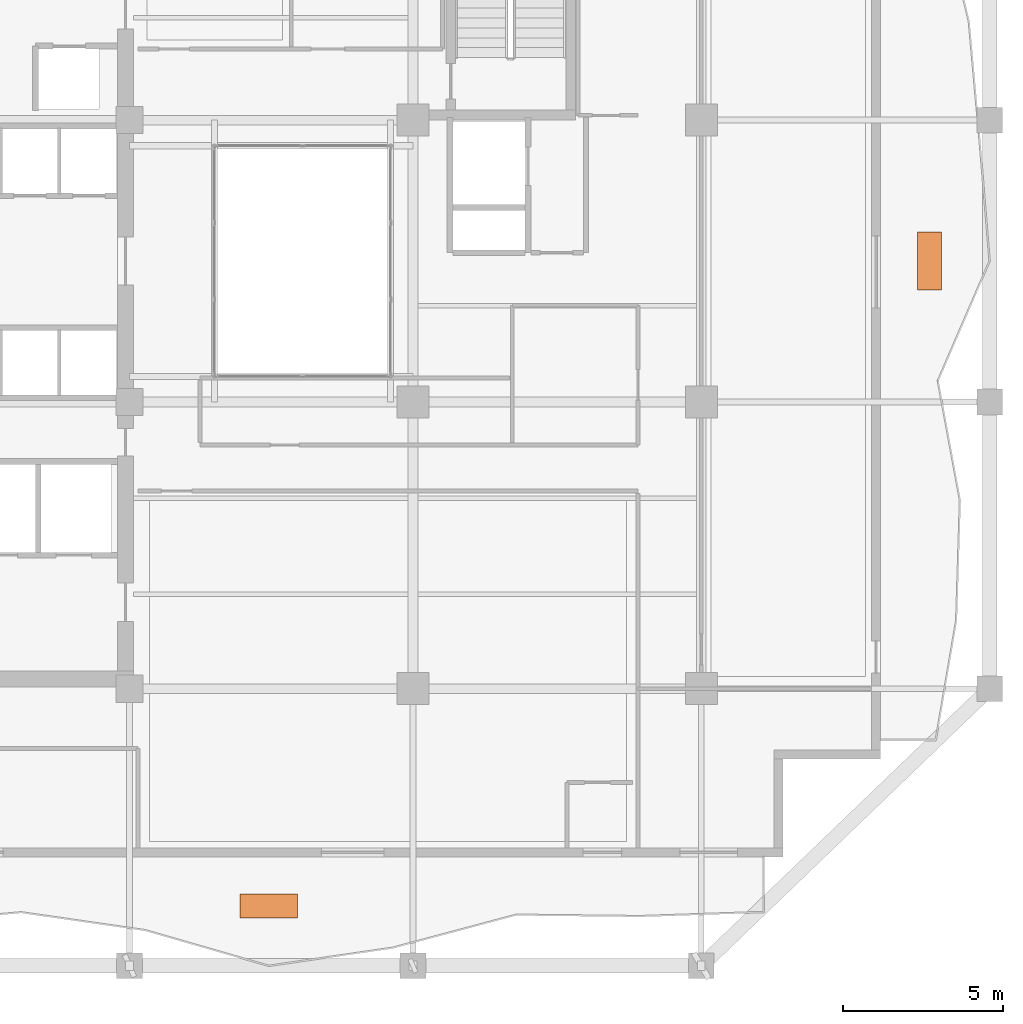
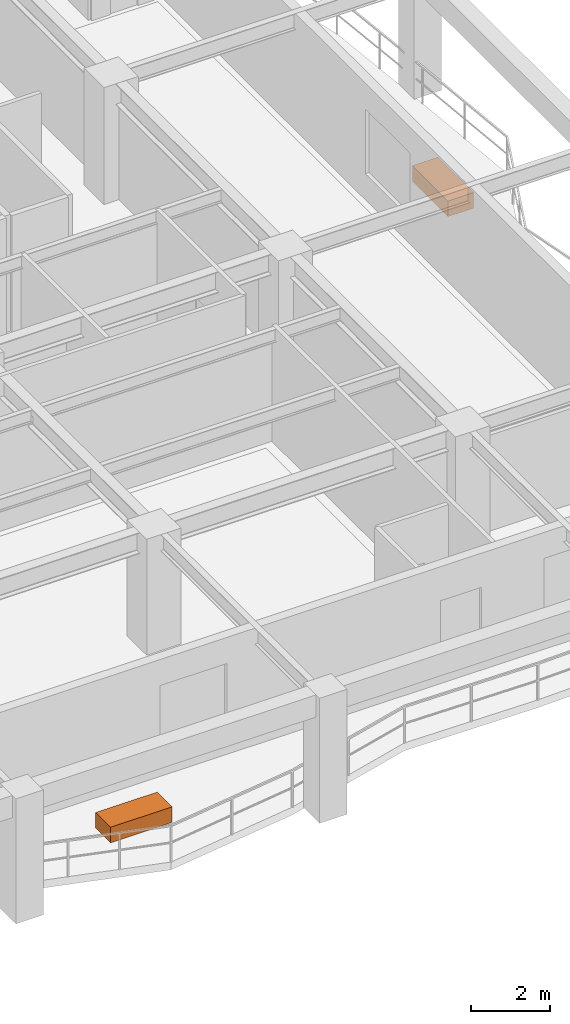
# One storey, part 14 of 14: 2 proxies.
"""IFC4 building model written with IfcOpenShell, lengths in metres."""

from ifc_helpers import new_model, si_unit, direction, frame, origin, origin_2d, place, context, subcontext, project, spatial, rectangle, extrude, material, type_object, element, save


model = new_model("IFC4")

# Units and contexts
model_context = context("Model", 3, precision=1e-05, world=origin(), true_north=direction((0.0, 1.0)))
body_context = subcontext(model_context, "Body", "Model", "MODEL_VIEW")
ifc_project = project(units=[si_unit("LENGTHUNIT", "METRE"), si_unit("AREAUNIT", "SQUARE_METRE"), si_unit("VOLUMEUNIT", "CUBIC_METRE"), si_unit("PLANEANGLEUNIT", "RADIAN"), si_unit("MASSUNIT", "GRAM", prefix="KILO")], contexts=[model_context])

# Site, building, storey
site_placement = place(None, origin())
site = spatial("IfcSite", under=ifc_project, at=site_placement, CompositionType="ELEMENT")
building_placement = place(site_placement, origin())
building = spatial("IfcBuilding", under=site, at=building_placement, Name="Kundavana Baori Tower", CompositionType="ELEMENT")
storey_placement = place(building_placement, frame((0.0, 0.0, 104.0)))
storey = spatial("IfcBuildingStorey", under=building, at=storey_placement, Name="L24", CompositionType="ELEMENT", Elevation=104.0)

# Proxies
ifc_material = material(Name="Red-Buff Dholpur Sandstone Cladding on Concrete C40/50", Category="masonry")
building_element_proxy_type = type_object("IfcBuildingElementProxyType", Name="PRX-PLANTER-1800", PredefinedType="USERDEFINED", material=ifc_material)
for number, where, z_axis, x_axis, name in (
    (1, (29.300048828125, 8.469970703125, 0.0), (0.0, 0.0, 1.0), (1.0, 0.0, 0.0), "L24 Dholpur Stone Structural Tree Planter S"),
    (2, (49.929931640625, 28.60009765625, 0.0), (0.0, 0.0, 1.0), (0.0, 1.0, 0.0), "L24 Dholpur Stone Structural Tree Planter E"),
):
    element("IfcBuildingElementProxy", number, at=place(storey_placement, frame(where, z_axis=z_axis, x_axis=x_axis)), inside=storey, type_object=building_element_proxy_type, Name=name, ObjectType="PLANTER", PredefinedType="USERDEFINED", context=body_context, shape_type="SweptSolid", body=[
        extrude(rectangle(XDim=1.800048828125, YDim=0.75, at=origin_2d()), origin(), (0.0, 0.0, 1.0), 0.47998046875),
    ])

save(model, "model.ifc")
